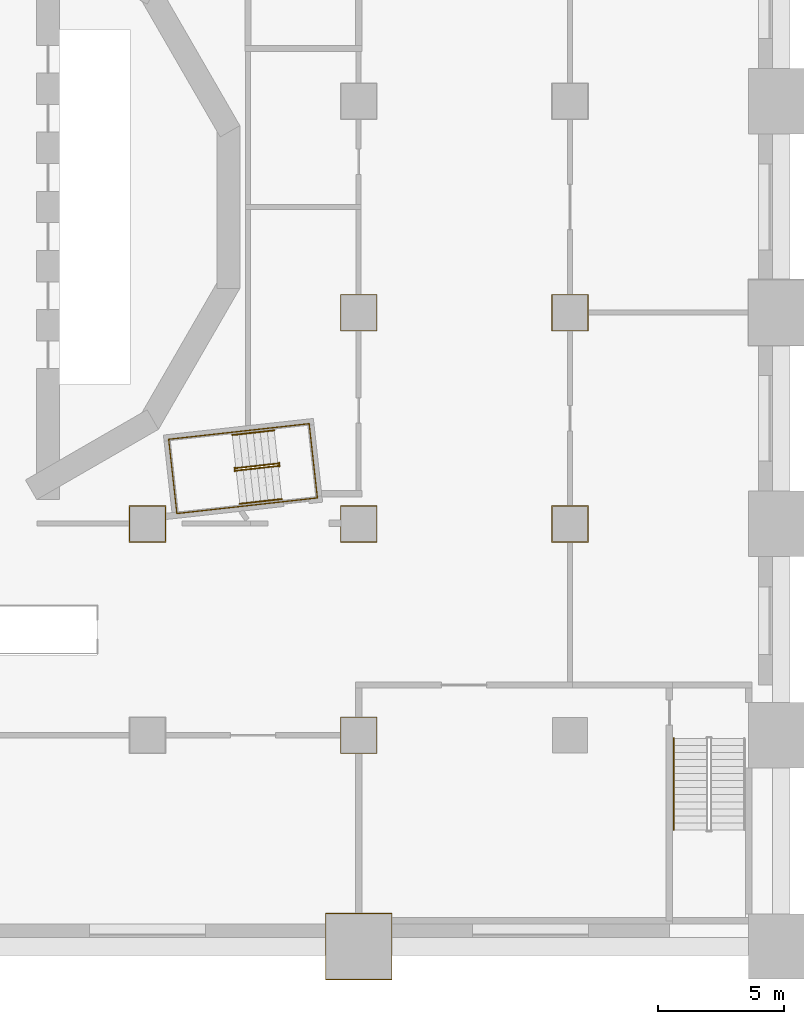
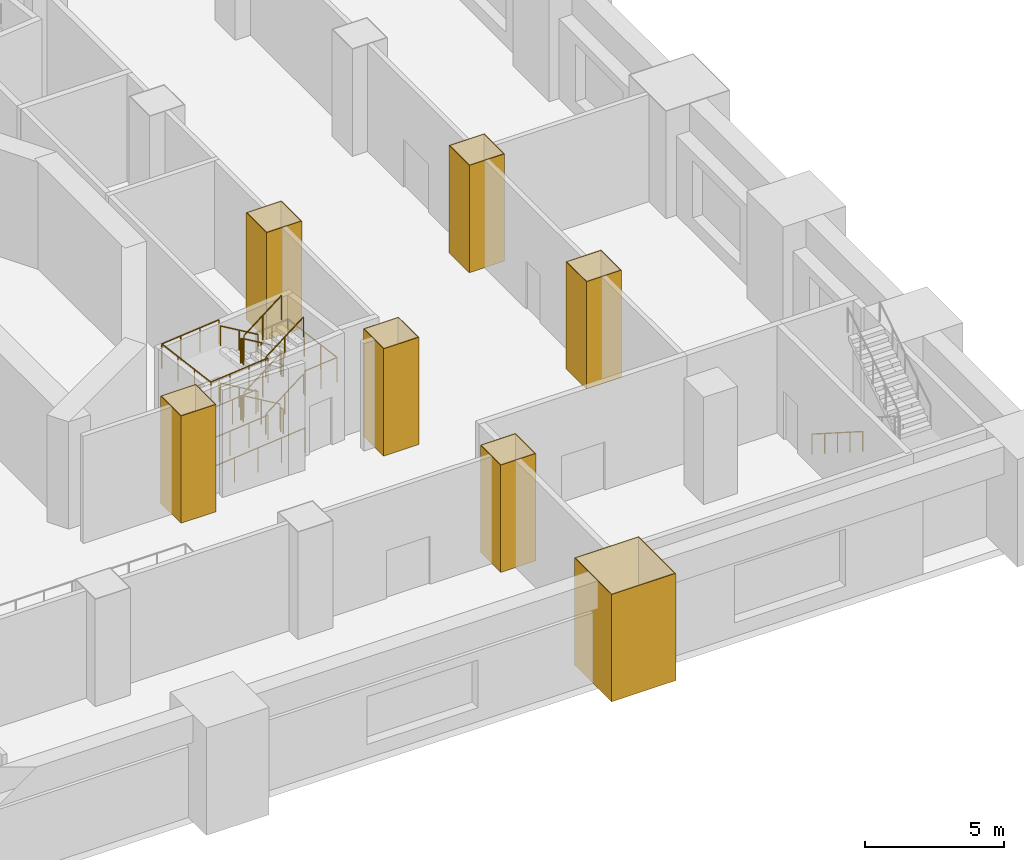
# One storey, part 12 of 19: 14 railings, 7 coverings.
"""IFC4 building model written with IfcOpenShell, lengths in metres."""

from ifc_helpers import new_model, si_unit, direction, frame, origin, origin_2d, place, context, subcontext, project, spatial, polyline, circle, outline, extrude, material, layer, layer_set, type_object, element, save


model = new_model("IFC4")

# Units and contexts
model_context = context("Model", 3, precision=1e-05, world=origin(), true_north=direction((0.0, 1.0)))
body_context = subcontext(model_context, "Body", "Model", "MODEL_VIEW")
ifc_project = project(units=[si_unit("LENGTHUNIT", "METRE"), si_unit("AREAUNIT", "SQUARE_METRE"), si_unit("VOLUMEUNIT", "CUBIC_METRE"), si_unit("PLANEANGLEUNIT", "RADIAN"), si_unit("MASSUNIT", "GRAM", prefix="KILO")], contexts=[model_context])

# Site, building, storey
site_placement = place(None, origin())
site = spatial("IfcSite", under=ifc_project, at=site_placement, CompositionType="ELEMENT")
building_placement = place(site_placement, origin())
building = spatial("IfcBuilding", under=site, at=building_placement, Name="Cantera Rosa Tower", CompositionType="ELEMENT")
storey_placement = place(building_placement, frame((0.0, 0.0, 12.0)))
storey = spatial("IfcBuildingStorey", under=building, at=storey_placement, Name="L01", CompositionType="ELEMENT", Elevation=12.0)

# Coverings
ifc_material_1 = material(Name="Plaster")
ifc_layer = layer(ifc_material_1, 0.030029296875)
ifc_layer_set = layer_set([ifc_layer], Name="Column casing 30")
covering_type = type_object("IfcCoveringType", Name="Column casing 30", PredefinedType="CLADDING", material=ifc_layer_set)
covering_1_placement = place(storey_placement, origin())
element("IfcCovering", 1, at=covering_1_placement, inside=storey, type_object=covering_type, Name="Column casing L01-021", PredefinedType="CLADDING", context=body_context, shape_type="SweptSolid", body=[
    extrude(outline(polyline([(7.669921875, -13.330078125), (9.1298828125, -13.330078125), (9.1298828125, -11.8701171875), (7.669921875, -11.8701171875), (7.669921875, -13.330078125)]), holes=[polyline([(9.10009765625, -11.89990234375), (7.699951171875, -11.89990234375), (7.699951171875, -13.300048828125), (9.10009765625, -13.300048828125), (9.10009765625, -11.89990234375)])]), origin(), (0.0, 0.0, 1.0), 4.699951171875),
])
covering_2_placement = place(storey_placement, origin())
element("IfcCovering", 2, at=covering_2_placement, inside=storey, type_object=covering_type, Name="Column casing L01-024", PredefinedType="CLADDING", context=body_context, shape_type="SweptSolid", body=[
    extrude(outline(polyline([(15.469970703125, -30.72998046875), (18.1298828125, -30.72998046875), (18.1298828125, -28.070068359375), (15.469970703125, -28.070068359375), (15.469970703125, -30.72998046875)]), holes=[polyline([(18.10009765625, -28.10009765625), (15.5, -28.10009765625), (15.5, -30.699951171875), (18.10009765625, -30.699951171875), (18.10009765625, -28.10009765625)])]), origin(), (0.0, 0.0, 1.0), 4.699951171875),
])
covering_3_placement = place(storey_placement, origin())
element("IfcCovering", 3, at=covering_3_placement, inside=storey, type_object=covering_type, Name="Column casing L01-025", PredefinedType="CLADDING", context=body_context, shape_type="SweptSolid", body=[
    extrude(outline(polyline([(16.070068359375, -21.72998046875), (17.530029296875, -21.72998046875), (17.530029296875, -20.27001953125), (16.070068359375, -20.27001953125), (16.070068359375, -21.72998046875)]), holes=[polyline([(17.5, -20.300048828125), (16.10009765625, -20.300048828125), (16.10009765625, -21.699951171875), (17.5, -21.699951171875), (17.5, -20.300048828125)])]), origin(), (0.0, 0.0, 1.0), 4.699951171875),
])
covering_4_placement = place(storey_placement, origin())
element("IfcCovering", 4, at=covering_4_placement, inside=storey, type_object=covering_type, Name="Column casing L01-026", PredefinedType="CLADDING", context=body_context, shape_type="SweptSolid", body=[
    extrude(outline(polyline([(16.070068359375, -13.330078125), (17.530029296875, -13.330078125), (17.530029296875, -11.8701171875), (16.070068359375, -11.8701171875), (16.070068359375, -13.330078125)]), holes=[polyline([(17.5, -11.89990234375), (16.10009765625, -11.89990234375), (16.10009765625, -13.300048828125), (17.5, -13.300048828125), (17.5, -11.89990234375)])]), origin(), (0.0, 0.0, 1.0), 4.699951171875),
])
covering_5_placement = place(storey_placement, origin())
element("IfcCovering", 5, at=covering_5_placement, inside=storey, type_object=covering_type, Name="Column casing L01-027", PredefinedType="CLADDING", context=body_context, shape_type="SweptSolid", body=[
    extrude(outline(polyline([(16.070068359375, -4.929931640625), (17.530029296875, -4.929931640625), (17.530029296875, -3.469970703125), (16.070068359375, -3.469970703125), (16.070068359375, -4.929931640625)]), holes=[polyline([(17.5, -3.5), (16.10009765625, -3.5), (16.10009765625, -4.89990234375), (17.5, -4.89990234375), (17.5, -3.5)])]), origin(), (0.0, 0.0, 1.0), 4.699951171875),
])
covering_6_placement = place(storey_placement, origin())
element("IfcCovering", 6, at=covering_6_placement, inside=storey, type_object=covering_type, Name="Column casing L01-032", PredefinedType="CLADDING", context=body_context, shape_type="SweptSolid", body=[
    extrude(outline(polyline([(24.469970703125, -13.330078125), (25.929931640625, -13.330078125), (25.929931640625, -11.8701171875), (24.469970703125, -11.8701171875), (24.469970703125, -13.330078125)]), holes=[polyline([(25.89990234375, -11.89990234375), (24.5, -11.89990234375), (24.5, -13.300048828125), (25.89990234375, -13.300048828125), (25.89990234375, -11.89990234375)])]), origin(), (0.0, 0.0, 1.0), 4.699951171875),
])
covering_7_placement = place(storey_placement, origin())
element("IfcCovering", 7, at=covering_7_placement, inside=storey, type_object=covering_type, Name="Column casing L01-033", PredefinedType="CLADDING", context=body_context, shape_type="SweptSolid", body=[
    extrude(outline(polyline([(24.469970703125, -4.929931640625), (25.929931640625, -4.929931640625), (25.929931640625, -3.469970703125), (24.469970703125, -3.469970703125), (24.469970703125, -4.929931640625)]), holes=[polyline([(25.89990234375, -3.5), (24.5, -3.5), (24.5, -4.89990234375), (25.89990234375, -4.89990234375), (25.89990234375, -3.5)])]), origin(), (0.0, 0.0, 1.0), 4.699951171875),
])

# Railings
ifc_material_2 = material(Name="Steel S355J2 (EN 10025-2)", Category="steel")
railing_type_1 = type_object("IfcRailingType", Name="STAIR GUARD 1100", PredefinedType="GUARDRAIL", material=ifc_material_2)
railing_1_placement = place(storey_placement, frame((13.5859375, -10.19677734375, 0.178466796875)))
element("IfcRailing", 8, at=railing_1_placement, inside=storey, type_object=railing_type_1, Name="L01 ST-14 stair guard 1", PredefinedType="GUARDRAIL", context=body_context, shape_type="SweptSolid", body=[
    extrude(circle(Radius=0.02392578125, at=origin_2d()), frame((0.0, 0.0, 1.076171875), z_axis=(-0.837950904326, -0.092996744609, 0.537763784046), x_axis=(0.110303920128, -0.993897904819, 0.0)), (0.0, 0.0, 1.0), 1.99267578125),
    extrude(circle(Radius=0.02392578125, at=origin_2d()), frame((-1.669677734375, -0.185302734375, 2.1474609375), z_axis=(-0.932897555956, 0.360141847183, 0.0), x_axis=(-0.360141847183, -0.932897555956, 0.0)), (0.0, 0.0, 1.0), 0.05615234375),
    extrude(circle(Radius=0.02392578125, at=origin_2d()), frame((-1.72216796875, -0.1650390625, 2.1474609375), z_axis=(0.110610055588, -0.993863881828, 0.0), x_axis=(0.993863881828, 0.110610055588, 0.0)), (0.0, 0.0, 1.0), 0.150146484375),
    extrude(circle(Radius=0.02099609375, at=origin_2d()), origin(), (0.0, 0.0, 1.0), 1.052001953125),
    extrude(circle(Radius=0.02099609375, at=origin_2d()), frame((-0.8349609375, -0.0927734375, 0.53564453125)), (0.0, 0.0, 1.0), 1.052001953125),
    extrude(circle(Radius=0.02099609375, at=origin_2d()), frame((-1.669677734375, -0.185302734375, 1.071533203125)), (0.0, 0.0, 1.0), 1.052001953125),
    extrude(circle(Radius=0.02099609375, at=origin_2d()), frame((-1.72216796875, -0.1650390625, 1.071533203125)), (0.0, 0.0, 1.0), 1.052001953125),
    extrude(circle(Radius=0.02099609375, at=origin_2d()), frame((-1.70556640625, -0.314208984375, 1.071533203125)), (0.0, 0.0, 1.0), 1.052001953125),
])
railing_2_placement = place(storey_placement, frame((11.927001953125, -10.4794921875, 1.428466796875)))
element("IfcRailing", 9, at=railing_2_placement, inside=storey, type_object=railing_type_1, Name="L01 ST-14 stair guard 2", PredefinedType="GUARDRAIL", context=body_context, shape_type="SweptSolid", body=[
    extrude(circle(Radius=0.02392578125, at=origin_2d()), frame((0.0, 0.0, 1.076171875), z_axis=(0.837987391448, 0.092987197384, 0.537708576179), x_axis=(-0.11028798999, 0.993899672635, 0.0)), (0.0, 0.0, 1.0), 1.99267578125),
    extrude(circle(Radius=0.02392578125, at=origin_2d()), frame((1.669921875, 0.185302734375, 2.1474609375), z_axis=(0.931434406233, -0.363909256389, 0.0), x_axis=(0.363909256389, 0.931434406233, 0.0)), (0.0, 0.0, 1.0), 0.056396484375),
    extrude(circle(Radius=0.02392578125, at=origin_2d()), frame((1.722412109375, 0.164794921875, 2.1474609375), z_axis=(-0.110610055588, 0.993863881828, 0.0), x_axis=(-0.993863881828, -0.110610055588, 0.0)), (0.0, 0.0, 1.0), 0.150146484375),
    extrude(circle(Radius=0.02099609375, at=origin_2d()), origin(), (0.0, 0.0, 1.0), 1.052001953125),
    extrude(circle(Radius=0.02099609375, at=origin_2d()), frame((0.8349609375, 0.0927734375, 0.53564453125)), (0.0, 0.0, 1.0), 1.052001953125),
    extrude(circle(Radius=0.02099609375, at=origin_2d()), frame((1.669921875, 0.185302734375, 1.071533203125)), (0.0, 0.0, 1.0), 1.052001953125),
    extrude(circle(Radius=0.02099609375, at=origin_2d()), frame((1.722412109375, 0.164794921875, 1.071533203125)), (0.0, 0.0, 1.0), 1.052001953125),
    extrude(circle(Radius=0.02099609375, at=origin_2d()), frame((1.705810546875, 0.31396484375, 1.071533203125)), (0.0, 0.0, 1.0), 1.052001953125),
])
railing_3_placement = place(storey_placement, frame((13.5859375, -10.19677734375, 2.678466796875)))
element("IfcRailing", 10, at=railing_3_placement, inside=storey, type_object=railing_type_1, Name="L01 ST-14 stair guard 3", PredefinedType="GUARDRAIL", context=body_context, shape_type="SweptSolid", body=[
    extrude(circle(Radius=0.02392578125, at=origin_2d()), frame((0.0, 0.0, 1.076171875), z_axis=(-0.837950904326, -0.092996744609, 0.537763784046), x_axis=(0.110303920128, -0.993897904819, 0.0)), (0.0, 0.0, 1.0), 1.99267578125),
    extrude(circle(Radius=0.02392578125, at=origin_2d()), frame((-1.669677734375, -0.185302734375, 2.1474609375), z_axis=(-0.932897555956, 0.360141847183, 0.0), x_axis=(-0.360141847183, -0.932897555956, 0.0)), (0.0, 0.0, 1.0), 0.05615234375),
    extrude(circle(Radius=0.02392578125, at=origin_2d()), frame((-1.72216796875, -0.1650390625, 2.1474609375), z_axis=(0.110610055588, -0.993863881828, 0.0), x_axis=(0.993863881828, 0.110610055588, 0.0)), (0.0, 0.0, 1.0), 0.150146484375),
    extrude(circle(Radius=0.02099609375, at=origin_2d()), origin(), (0.0, 0.0, 1.0), 1.052001953125),
    extrude(circle(Radius=0.02099609375, at=origin_2d()), frame((-0.8349609375, -0.0927734375, 0.53564453125)), (0.0, 0.0, 1.0), 1.052001953125),
    extrude(circle(Radius=0.02099609375, at=origin_2d()), frame((-1.669677734375, -0.185302734375, 1.071533203125)), (0.0, 0.0, 1.0), 1.052001953125),
    extrude(circle(Radius=0.02099609375, at=origin_2d()), frame((-1.72216796875, -0.1650390625, 1.071533203125)), (0.0, 0.0, 1.0), 1.052001953125),
    extrude(circle(Radius=0.02099609375, at=origin_2d()), frame((-1.70556640625, -0.314208984375, 1.071533203125)), (0.0, 0.0, 1.0), 1.052001953125),
])
railing_4_placement = place(storey_placement, frame((11.927001953125, -10.4794921875, 3.928466796875)))
element("IfcRailing", 11, at=railing_4_placement, inside=storey, type_object=railing_type_1, Name="L01 ST-14 stair guard 4", PredefinedType="GUARDRAIL", context=body_context, shape_type="SweptSolid", body=[
    extrude(circle(Radius=0.02392578125, at=origin_2d()), frame((0.0, 0.0, 1.076171875), z_axis=(0.837987391448, 0.092987197384, 0.537708576179), x_axis=(-0.11028798999, 0.993899672635, 0.0)), (0.0, 0.0, 1.0), 1.99267578125),
    extrude(circle(Radius=0.02099609375, at=origin_2d()), origin(), (0.0, 0.0, 1.0), 1.052001953125),
    extrude(circle(Radius=0.02099609375, at=origin_2d()), frame((0.8349609375, 0.0927734375, 0.53564453125)), (0.0, 0.0, 1.0), 1.052001953125),
    extrude(circle(Radius=0.02099609375, at=origin_2d()), frame((1.669921875, 0.185302734375, 1.071533203125)), (0.0, 0.0, 1.0), 1.052001953125),
])
railing_5_placement = place(storey_placement, frame((13.6328125, -10.16552734375, 0.0)))
element("IfcRailing", 12, at=railing_5_placement, inside=storey, type_object=railing_type_1, Name="L01 ST-14 stair guard 5", PredefinedType="GUARDRAIL", context=body_context, shape_type="SweptSolid", body=[
    extrude(circle(Radius=0.02392578125, at=origin_2d()), frame((0.0, 0.0, 1.076171875), z_axis=(0.110610055588, -0.993863881828, 0.0), x_axis=(0.993863881828, 0.110610055588, 0.0)), (0.0, 0.0, 1.0), 0.150146484375),
    extrude(circle(Radius=0.02099609375, at=origin_2d()), origin(), (0.0, 0.0, 1.0), 1.052001953125),
    extrude(circle(Radius=0.02099609375, at=origin_2d()), frame((0.0166015625, -0.149169921875, 0.0)), (0.0, 0.0, 1.0), 1.052001953125),
])
railing_6_placement = place(storey_placement, frame((13.415771484375, -8.77099609375, 0.0)))
element("IfcRailing", 13, at=railing_6_placement, inside=storey, type_object=railing_type_1, Name="L01 ST-14 stair guard 6", PredefinedType="GUARDRAIL", context=body_context, shape_type="SweptSolid", body=[
    extrude(circle(Radius=0.02392578125, at=origin_2d()), frame((0.0, 0.0, 1.076171875), z_axis=(-0.9938957856, -0.110323013767, 0.0), x_axis=(0.110323013767, -0.9938957856, 0.0)), (0.0, 0.0, 1.0), 4.197998046875),
    extrude(circle(Radius=0.02392578125, at=origin_2d()), frame((-4.17236328125, -0.463134765625, 1.076171875), z_axis=(0.110314237986, -0.993896759678, 0.0), x_axis=(0.993896759678, 0.110314237986, 0.0)), (0.0, 0.0, 1.0), 2.969970703125),
    extrude(circle(Radius=0.02392578125, at=origin_2d()), frame((-3.8447265625, -3.4150390625, 1.076171875), z_axis=(0.9938957856, 0.110323013767, 0.0), x_axis=(-0.110323013767, 0.9938957856, 0.0)), (0.0, 0.0, 1.0), 4.197998046875),
    extrude(circle(Radius=0.02099609375, at=origin_2d()), origin(), (0.0, 0.0, 1.0), 1.052001953125),
    extrude(circle(Radius=0.02099609375, at=origin_2d()), frame((-1.04296875, -0.11572265625, 0.0)), (0.0, 0.0, 1.0), 1.052001953125),
    extrude(circle(Radius=0.02099609375, at=origin_2d()), frame((-2.086181640625, -0.2314453125, 0.0)), (0.0, 0.0, 1.0), 1.052001953125),
    extrude(circle(Radius=0.02099609375, at=origin_2d()), frame((-3.12939453125, -0.347412109375, 0.0)), (0.0, 0.0, 1.0), 1.052001953125),
    extrude(circle(Radius=0.02099609375, at=origin_2d()), frame((-4.17236328125, -0.463134765625, 0.0)), (0.0, 0.0, 1.0), 1.052001953125),
    extrude(circle(Radius=0.02099609375, at=origin_2d()), frame((-4.063232421875, -1.447021484375, 0.0)), (0.0, 0.0, 1.0), 1.052001953125),
    extrude(circle(Radius=0.02099609375, at=origin_2d()), frame((-3.953857421875, -2.43115234375, 0.0)), (0.0, 0.0, 1.0), 1.052001953125),
    extrude(circle(Radius=0.02099609375, at=origin_2d()), frame((-3.8447265625, -3.4150390625, 0.0)), (0.0, 0.0, 1.0), 1.052001953125),
    extrude(circle(Radius=0.02099609375, at=origin_2d()), frame((-2.8017578125, -3.29931640625, 0.0)), (0.0, 0.0, 1.0), 1.052001953125),
    extrude(circle(Radius=0.02099609375, at=origin_2d()), frame((-1.758544921875, -3.18359375, 0.0)), (0.0, 0.0, 1.0), 1.052001953125),
    extrude(circle(Radius=0.02099609375, at=origin_2d()), frame((-0.71533203125, -3.067626953125, 0.0)), (0.0, 0.0, 1.0), 1.052001953125),
    extrude(circle(Radius=0.02099609375, at=origin_2d()), frame((0.32763671875, -2.951904296875, 0.0)), (0.0, 0.0, 1.0), 1.052001953125),
])
railing_7_placement = place(storey_placement, frame((11.769775390625, -8.95361328125, 1.25)))
element("IfcRailing", 14, at=railing_7_placement, inside=storey, type_object=railing_type_1, Name="L01 ST-14 stair guard 7", PredefinedType="GUARDRAIL", context=body_context, shape_type="SweptSolid", body=[
    extrude(circle(Radius=0.02392578125, at=origin_2d()), frame((0.0, 0.0, 1.076171875), z_axis=(-0.993891931048, -0.110357733743, 0.0), x_axis=(0.110357733743, -0.993891931048, 0.0)), (0.0, 0.0, 1.0), 2.5419921875),
    extrude(circle(Radius=0.02392578125, at=origin_2d()), frame((-2.5263671875, -0.280517578125, 1.076171875), z_axis=(0.110314237986, -0.993896759678, 0.0), x_axis=(0.993896759678, 0.110314237986, 0.0)), (0.0, 0.0, 1.0), 2.969970703125),
    extrude(circle(Radius=0.02392578125, at=origin_2d()), frame((-2.19873046875, -3.232421875, 1.076171875), z_axis=(0.993891931048, 0.110357733743, 0.0), x_axis=(-0.110357733743, 0.993891931048, 0.0)), (0.0, 0.0, 1.0), 2.5419921875),
    extrude(circle(Radius=0.02099609375, at=origin_2d()), origin(), (0.0, 0.0, 1.0), 1.052001953125),
    extrude(circle(Radius=0.02099609375, at=origin_2d()), frame((-0.842041015625, -0.093505859375, 0.0)), (0.0, 0.0, 1.0), 1.052001953125),
    extrude(circle(Radius=0.02099609375, at=origin_2d()), frame((-1.684326171875, -0.18701171875, 0.0)), (0.0, 0.0, 1.0), 1.052001953125),
    extrude(circle(Radius=0.02099609375, at=origin_2d()), frame((-2.5263671875, -0.280517578125, 0.0)), (0.0, 0.0, 1.0), 1.052001953125),
    extrude(circle(Radius=0.02099609375, at=origin_2d()), frame((-2.417236328125, -1.264404296875, 0.0)), (0.0, 0.0, 1.0), 1.052001953125),
    extrude(circle(Radius=0.02099609375, at=origin_2d()), frame((-2.307861328125, -2.24853515625, 0.0)), (0.0, 0.0, 1.0), 1.052001953125),
    extrude(circle(Radius=0.02099609375, at=origin_2d()), frame((-2.19873046875, -3.232421875, 0.0)), (0.0, 0.0, 1.0), 1.052001953125),
    extrude(circle(Radius=0.02099609375, at=origin_2d()), frame((-1.356689453125, -3.138916015625, 0.0)), (0.0, 0.0, 1.0), 1.052001953125),
    extrude(circle(Radius=0.02099609375, at=origin_2d()), frame((-0.514404296875, -3.04541015625, 0.0)), (0.0, 0.0, 1.0), 1.052001953125),
    extrude(circle(Radius=0.02099609375, at=origin_2d()), frame((0.32763671875, -2.951904296875, 0.0)), (0.0, 0.0, 1.0), 1.052001953125),
])
railing_8_placement = place(storey_placement, frame((13.415771484375, -8.77099609375, 2.5)))
element("IfcRailing", 15, at=railing_8_placement, inside=storey, type_object=railing_type_1, Name="L01 ST-14 stair guard 8", PredefinedType="GUARDRAIL", context=body_context, shape_type="SweptSolid", body=[
    extrude(circle(Radius=0.02392578125, at=origin_2d()), frame((0.0, 0.0, 1.076171875), z_axis=(0.993887921413, 0.110393838913, 0.0), x_axis=(-0.110393838913, 0.993887921413, 0.0)), (0.0, 0.0, 1.0), 1.422119140625),
    extrude(circle(Radius=0.02392578125, at=origin_2d()), frame((1.413330078125, 0.156982421875, 1.076171875), z_axis=(0.110314237986, -0.993896759678, 0.0), x_axis=(0.993896759678, 0.110314237986, 0.0)), (0.0, 0.0, 1.0), 2.969970703125),
    extrude(circle(Radius=0.02392578125, at=origin_2d()), frame((1.740966796875, -2.794921875, 1.076171875), z_axis=(-0.993887921413, -0.110393838913, 0.0), x_axis=(0.110393838913, -0.993887921413, 0.0)), (0.0, 0.0, 1.0), 1.422119140625),
    extrude(circle(Radius=0.02099609375, at=origin_2d()), origin(), (0.0, 0.0, 1.0), 1.052001953125),
    extrude(circle(Radius=0.02099609375, at=origin_2d()), frame((0.70654296875, 0.07861328125, 0.0)), (0.0, 0.0, 1.0), 1.052001953125),
    extrude(circle(Radius=0.02099609375, at=origin_2d()), frame((1.413330078125, 0.156982421875, 0.0)), (0.0, 0.0, 1.0), 1.052001953125),
    extrude(circle(Radius=0.02099609375, at=origin_2d()), frame((1.5224609375, -0.826904296875, 0.0)), (0.0, 0.0, 1.0), 1.052001953125),
    extrude(circle(Radius=0.02099609375, at=origin_2d()), frame((1.6318359375, -1.81103515625, 0.0)), (0.0, 0.0, 1.0), 1.052001953125),
    extrude(circle(Radius=0.02099609375, at=origin_2d()), frame((1.740966796875, -2.794921875, 0.0)), (0.0, 0.0, 1.0), 1.052001953125),
    extrude(circle(Radius=0.02099609375, at=origin_2d()), frame((1.0341796875, -2.87353515625, 0.0)), (0.0, 0.0, 1.0), 1.052001953125),
    extrude(circle(Radius=0.02099609375, at=origin_2d()), frame((0.32763671875, -2.951904296875, 0.0)), (0.0, 0.0, 1.0), 1.052001953125),
])
railing_9_placement = place(storey_placement, frame((11.769775390625, -8.95361328125, 3.75)))
element("IfcRailing", 16, at=railing_9_placement, inside=storey, type_object=railing_type_1, Name="L01 ST-14 stair guard 9", PredefinedType="GUARDRAIL", context=body_context, shape_type="SweptSolid", body=[
    extrude(circle(Radius=0.02392578125, at=origin_2d()), frame((0.0, 0.0, 1.076171875), z_axis=(-0.993891931048, -0.110357733743, 0.0), x_axis=(0.110357733743, -0.993891931048, 0.0)), (0.0, 0.0, 1.0), 2.5419921875),
    extrude(circle(Radius=0.02392578125, at=origin_2d()), frame((-2.5263671875, -0.280517578125, 1.076171875), z_axis=(0.110314237986, -0.993896759678, 0.0), x_axis=(0.993896759678, 0.110314237986, 0.0)), (0.0, 0.0, 1.0), 2.969970703125),
    extrude(circle(Radius=0.02392578125, at=origin_2d()), frame((-2.19873046875, -3.232421875, 1.076171875), z_axis=(0.993891931048, 0.110357733743, 0.0), x_axis=(-0.110357733743, 0.993891931048, 0.0)), (0.0, 0.0, 1.0), 2.5419921875),
    extrude(circle(Radius=0.02099609375, at=origin_2d()), origin(), (0.0, 0.0, 1.0), 1.052001953125),
    extrude(circle(Radius=0.02099609375, at=origin_2d()), frame((-0.842041015625, -0.093505859375, 0.0)), (0.0, 0.0, 1.0), 1.052001953125),
    extrude(circle(Radius=0.02099609375, at=origin_2d()), frame((-1.684326171875, -0.18701171875, 0.0)), (0.0, 0.0, 1.0), 1.052001953125),
    extrude(circle(Radius=0.02099609375, at=origin_2d()), frame((-2.5263671875, -0.280517578125, 0.0)), (0.0, 0.0, 1.0), 1.052001953125),
    extrude(circle(Radius=0.02099609375, at=origin_2d()), frame((-2.417236328125, -1.264404296875, 0.0)), (0.0, 0.0, 1.0), 1.052001953125),
    extrude(circle(Radius=0.02099609375, at=origin_2d()), frame((-2.307861328125, -2.24853515625, 0.0)), (0.0, 0.0, 1.0), 1.052001953125),
    extrude(circle(Radius=0.02099609375, at=origin_2d()), frame((-2.19873046875, -3.232421875, 0.0)), (0.0, 0.0, 1.0), 1.052001953125),
    extrude(circle(Radius=0.02099609375, at=origin_2d()), frame((-1.356689453125, -3.138916015625, 0.0)), (0.0, 0.0, 1.0), 1.052001953125),
    extrude(circle(Radius=0.02099609375, at=origin_2d()), frame((-0.514404296875, -3.04541015625, 0.0)), (0.0, 0.0, 1.0), 1.052001953125),
    extrude(circle(Radius=0.02099609375, at=origin_2d()), frame((0.32763671875, -2.951904296875, 0.0)), (0.0, 0.0, 1.0), 1.052001953125),
])
ifc_material_3 = material(Name="Steel S355J2 (EN 10025-2)", Category="steel")
railing_type_2 = type_object("IfcRailingType", Name="STAIR HANDRAIL 900", PredefinedType="HANDRAIL", material=ifc_material_3)
railing_10_placement = place(storey_placement, frame((13.439697265625, -8.87890625, 0.178466796875)))
element("IfcRailing", 17, at=railing_10_placement, inside=storey, type_object=railing_type_2, Name="L01 ST-14 stair handrail 1", PredefinedType="HANDRAIL", context=body_context, shape_type="SweptSolid", body=[
    extrude(circle(Radius=0.02392578125, at=origin_2d()), frame((0.0, 0.0, 0.8759765625), z_axis=(-0.837950904326, -0.092996744609, 0.537763784046), x_axis=(0.110303920128, -0.993897904819, 0.0)), (0.0, 0.0, 1.0), 1.99267578125),
    extrude(circle(Radius=0.02099609375, at=origin_2d()), origin(), (0.0, 0.0, 1.0), 0.851806640625),
    extrude(circle(Radius=0.02099609375, at=origin_2d()), frame((-0.8349609375, -0.0927734375, 0.53564453125)), (0.0, 0.0, 1.0), 0.851806640625),
    extrude(circle(Radius=0.02099609375, at=origin_2d()), frame((-1.669677734375, -0.185302734375, 1.071533203125)), (0.0, 0.0, 1.0), 0.851806640625),
])
railing_11_placement = place(storey_placement, frame((12.073486328125, -11.797607421875, 1.428466796875)))
element("IfcRailing", 18, at=railing_11_placement, inside=storey, type_object=railing_type_2, Name="L01 ST-14 stair handrail 2", PredefinedType="HANDRAIL", context=body_context, shape_type="SweptSolid", body=[
    extrude(circle(Radius=0.02392578125, at=origin_2d()), frame((0.0, 0.0, 0.8759765625), z_axis=(0.837941350202, 0.09311820824, 0.537757652586), x_axis=(-0.110447476434, 0.993881962282, 0.0)), (0.0, 0.0, 1.0), 1.99267578125),
    extrude(circle(Radius=0.02099609375, at=origin_2d()), origin(), (0.0, 0.0, 1.0), 0.851806640625),
    extrude(circle(Radius=0.02099609375, at=origin_2d()), frame((0.8349609375, 0.0927734375, 0.53564453125)), (0.0, 0.0, 1.0), 0.851806640625),
    extrude(circle(Radius=0.02099609375, at=origin_2d()), frame((1.669677734375, 0.185546875, 1.071533203125)), (0.0, 0.0, 1.0), 0.851806640625),
])
railing_12_placement = place(storey_placement, frame((13.439697265625, -8.87890625, 2.678466796875)))
element("IfcRailing", 19, at=railing_12_placement, inside=storey, type_object=railing_type_2, Name="L01 ST-14 stair handrail 3", PredefinedType="HANDRAIL", context=body_context, shape_type="SweptSolid", body=[
    extrude(circle(Radius=0.02392578125, at=origin_2d()), frame((0.0, 0.0, 0.8759765625), z_axis=(-0.837950904326, -0.092996744609, 0.537763784046), x_axis=(0.110303920128, -0.993897904819, 0.0)), (0.0, 0.0, 1.0), 1.99267578125),
    extrude(circle(Radius=0.02099609375, at=origin_2d()), origin(), (0.0, 0.0, 1.0), 0.851806640625),
    extrude(circle(Radius=0.02099609375, at=origin_2d()), frame((-0.8349609375, -0.0927734375, 0.53564453125)), (0.0, 0.0, 1.0), 0.851806640625),
    extrude(circle(Radius=0.02099609375, at=origin_2d()), frame((-1.669677734375, -0.185302734375, 1.071533203125)), (0.0, 0.0, 1.0), 0.851806640625),
])
railing_13_placement = place(storey_placement, frame((12.073486328125, -11.797607421875, 3.928466796875)))
element("IfcRailing", 20, at=railing_13_placement, inside=storey, type_object=railing_type_2, Name="L01 ST-14 stair handrail 4", PredefinedType="HANDRAIL", context=body_context, shape_type="SweptSolid", body=[
    extrude(circle(Radius=0.02392578125, at=origin_2d()), frame((0.0, 0.0, 0.8759765625), z_axis=(0.837941350202, 0.09311820824, 0.537757652586), x_axis=(-0.110447476434, 0.993881962282, 0.0)), (0.0, 0.0, 1.0), 1.99267578125),
    extrude(circle(Radius=0.02099609375, at=origin_2d()), origin(), (0.0, 0.0, 1.0), 0.851806640625),
    extrude(circle(Radius=0.02099609375, at=origin_2d()), frame((0.8349609375, 0.0927734375, 0.53564453125)), (0.0, 0.0, 1.0), 0.851806640625),
    extrude(circle(Radius=0.02099609375, at=origin_2d()), frame((1.669677734375, 0.185546875, 1.071533203125)), (0.0, 0.0, 1.0), 0.851806640625),
])
railing_14_placement = place(storey_placement, frame((29.324951171875, -21.125, 0.178466796875)))
element("IfcRailing", 21, at=railing_14_placement, inside=storey, type_object=railing_type_2, Name="L01 ST-SE stair handrail 1", PredefinedType="HANDRAIL", context=body_context, shape_type="SweptSolid", body=[
    extrude(circle(Radius=0.02392578125, at=origin_2d()), frame((0.0, 0.0, 0.8759765625), z_axis=(0.0, -0.843111507901, 0.53773877045), x_axis=(1.0, 0.0, 0.0)), (0.0, 0.0, 1.0), 4.317138671875),
    extrude(circle(Radius=0.02099609375, at=origin_2d()), origin(), (0.0, 0.0, 1.0), 0.851806640625),
    extrude(circle(Radius=0.02099609375, at=origin_2d()), frame((0.0, -0.909912109375, 0.580322265625)), (0.0, 0.0, 1.0), 0.851806640625),
    extrude(circle(Radius=0.02099609375, at=origin_2d()), frame((0.0, -1.81982421875, 1.16064453125)), (0.0, 0.0, 1.0), 0.851806640625),
    extrude(circle(Radius=0.02099609375, at=origin_2d()), frame((0.0, -2.72998046875, 1.7412109375)), (0.0, 0.0, 1.0), 0.851806640625),
    extrude(circle(Radius=0.02099609375, at=origin_2d()), frame((0.0, -3.639892578125, 2.321533203125)), (0.0, 0.0, 1.0), 0.851806640625),
])

save(model, "model.ifc")
